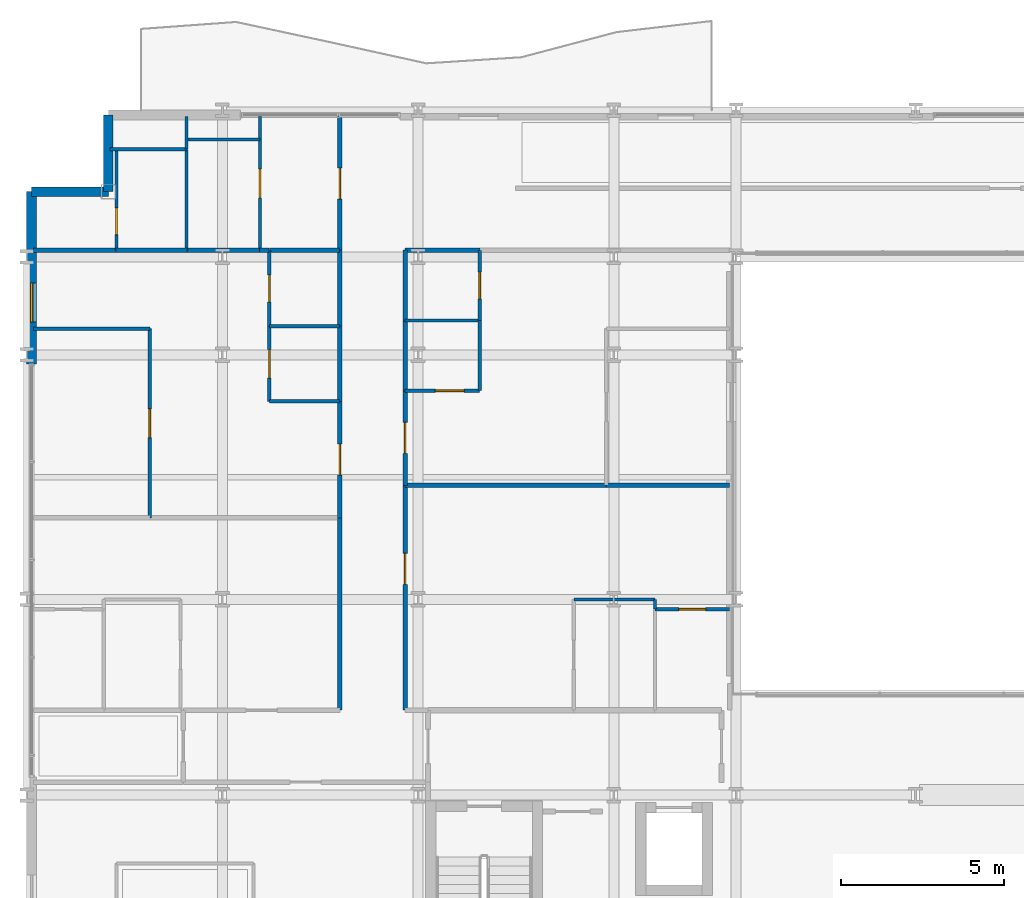
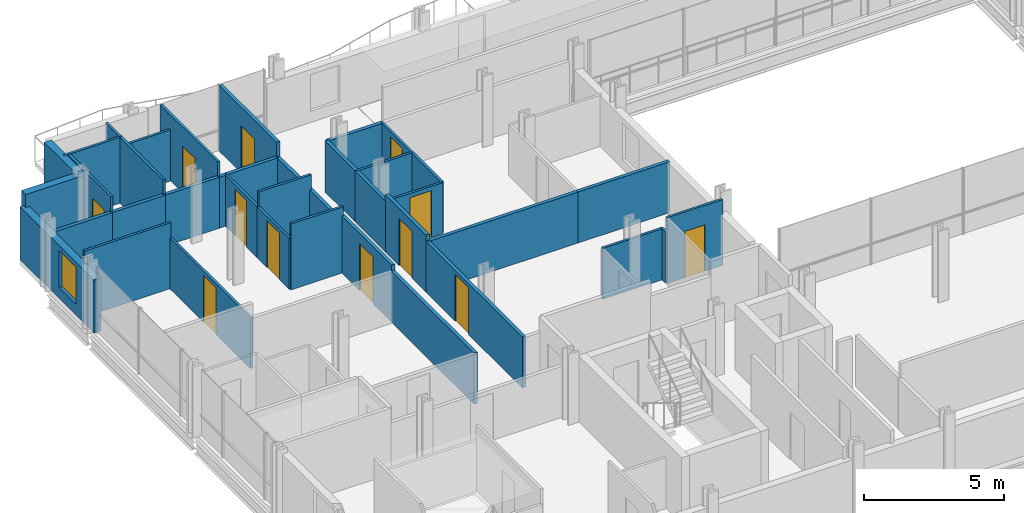
# One storey, part 33 of 41: 39 walls, 12 doors, 1 window, 13 openings.
"""IFC4 building model written with IfcOpenShell, lengths in metres."""

from ifc_helpers import new_model, si_unit, direction, frame, frame_2d, origin, place, context, subcontext, project, spatial, rectangle, extrude, material, layer, layer_set, type_object, element, fill, save


model = new_model("IFC4")

# Units and contexts
model_context = context("Model", 3, precision=1e-05, world=origin(), true_north=direction((0.0, 1.0)))
body_context = subcontext(model_context, "Body", "Model", "MODEL_VIEW")
ifc_project = project(units=[si_unit("LENGTHUNIT", "METRE"), si_unit("AREAUNIT", "SQUARE_METRE"), si_unit("VOLUMEUNIT", "CUBIC_METRE"), si_unit("PLANEANGLEUNIT", "RADIAN"), si_unit("MASSUNIT", "GRAM", prefix="KILO")], contexts=[model_context])

# Site, building, storey
site_placement = place(None, origin())
site = spatial("IfcSite", under=ifc_project, at=site_placement, CompositionType="ELEMENT")
building_placement = place(site_placement, origin())
building = spatial("IfcBuilding", under=site, at=building_placement, Name="Brevholm Reach", CompositionType="ELEMENT")
storey_placement = place(building_placement, frame((0.0, 0.0, 49.699951171875)))
storey = spatial("IfcBuildingStorey", under=building, at=storey_placement, Name="L13", CompositionType="ELEMENT", Elevation=49.699951171875)

# Walls
ifc_material_1 = material(Name="Concrete C40/50", Category="concrete")
ifc_layer_1 = layer(ifc_material_1, 0.300048828125)
ifc_layer_set_1 = layer_set([ifc_layer_1], Name="Concrete C40/50")
wall_type_1 = type_object("IfcWallType", Name="WAL-EXT-300", PredefinedType="STANDARD", material=ifc_layer_set_1)
for number, where, z_axis, x_axis, name in (
    (1, (2.5, 30.85009765625, 0.0), (0.0, 0.0, 1.0), (0.0, -1.0, 0.0), "L13 Facade Wall WAL-L13-CNW1"),
    (2, (2.5, 28.5, 0.0), (0.0, 0.0, 1.0), (-1.0, 0.0, 0.0), "L13 Facade Wall WAL-L13-CNW2"),
):
    element("IfcWall", number, at=place(storey_placement, frame(where, z_axis=z_axis, x_axis=x_axis)), inside=storey, type_object=wall_type_1, Name=name, PredefinedType="STANDARD", context=body_context, shape_type="SweptSolid", body=[
        extrude(rectangle(XDim=2.35009765625, YDim=0.300048828125, at=frame_2d((1.175048828125, 0.0))), origin(), (0.0, 0.0, 1.0), 2.8701171875),
    ])

# Wall, opening, window
wall_1_placement = place(storey_placement, frame((0.14990234375, 28.5, 0.0), z_axis=(0.0, 0.0, 1.0), x_axis=(0.0, -1.0, 0.0)))
wall_1 = element("IfcWall", 3, at=wall_1_placement, inside=storey, type_object=wall_type_1, Name="L13 Facade Wall WAL-L13-W-N", PredefinedType="STANDARD", context=body_context, shape_type="SweptSolid", body=[
    extrude(rectangle(XDim=5.280029296875, YDim=0.300048828125, at=frame_2d((2.64013671875, 0.0))), origin(), (0.0, 0.0, 1.0), 2.3056640625),
])
opening_1_placement = place(wall_1_placement, frame((2.800048828125, 0.0, 0.485107421875)))
opening_1 = element("IfcOpeningElement", 4, at=opening_1_placement, cuts=wall_1, Name="Opening WN-08", PredefinedType="OPENING", context=body_context, shape_type="SweptSolid", body=[
    extrude(rectangle(XDim=1.199951171875, YDim=1.60009765625, at=frame_2d((0.60009765625, 0.800048828125))), frame((0.0, 0.159912109375, 0.0), z_axis=(0.0, -1.0, 0.0), x_axis=(1.0, 0.0, 0.0)), (0.0, 0.0, 1.0), 0.320068359375),
])
ifc_material_2 = material(Name="Dark Anodised Aluminium and Solar-Control IGU Glass", Category="aluminium")
window_type = type_object("IfcWindowType", Name="WIN-RES-1200", PartitioningType="SINGLE_PANEL", PredefinedType="WINDOW", material=ifc_material_2)
window_placement = place(opening_1_placement, origin())
window = element("IfcWindow", 5, at=window_placement, inside=storey, type_object=window_type, Name="L13 Window WIN-L13-WN-1", OverallHeight=1.60009765625, OverallWidth=1.199951171875, PartitioningType="SINGLE_PANEL", PredefinedType="WINDOW", context=body_context, shape_type="SweptSolid", body=[
    extrude(rectangle(XDim=1.199951171875, YDim=1.60009765625, at=frame_2d((0.60009765625, 0.800048828125))), frame((0.0, 0.030029296875, 0.0), z_axis=(0.0, -1.0, 0.0), x_axis=(1.0, 0.0, 0.0)), (0.0, 0.0, 1.0), 0.06005859375),
])
fill(opening_1, window)

# Wall
ifc_material_3 = material(Name="Moisture-Resistant Acoustic Gypsum Stud Partition 100 mm", Category="gypsum")
ifc_layer_2 = layer(ifc_material_3, 0.10009765625)
ifc_layer_set_2 = layer_set([ifc_layer_2], Name="Moisture-Resistant Acoustic Gypsum Stud Partition 100 mm")
wall_type_2 = type_object("IfcWallType", Name="WAL-PRT-100", PredefinedType="PARTITIONING", material=ifc_layer_set_2)
wall_2_placement = place(storey_placement, frame((7.43798828125, 24.3720703125, 0.0), z_axis=(0.0, 0.0, 1.0), x_axis=(1.0, 0.0, 0.0)))
element("IfcWall", 6, at=wall_2_placement, inside=storey, type_object=wall_type_2, Name="L13 Internal Partition 082", PredefinedType="PARTITIONING", context=body_context, shape_type="SweptSolid", body=[
    extrude(rectangle(XDim=2.157958984375, YDim=0.10009765625, at=frame_2d((1.0791015625, 0.0))), origin(), (0.0, 0.0, 1.0), 2.8701171875),
])

# Wall, opening, door
wall_3_placement = place(storey_placement, frame((7.43798828125, 24.3720703125, 0.0), z_axis=(0.0, 0.0, 1.0), x_axis=(0.0, 1.0, 0.0)))
wall_3 = element("IfcWall", 7, at=wall_3_placement, inside=storey, type_object=wall_type_2, Name="L13 Internal Partition 083", PredefinedType="PARTITIONING", context=body_context, shape_type="SweptSolid", body=[
    extrude(rectangle(XDim=2.327880859375, YDim=0.10009765625, at=frame_2d((1.1640625, 0.0))), origin(), (0.0, 0.0, 1.0), 2.224853515625),
])
opening_2_placement = place(wall_3_placement, frame((0.75390625, 0.0, 0.0)))
opening_2 = element("IfcOpeningElement", 8, at=opening_2_placement, cuts=wall_3, Name="Opening ID-03", PredefinedType="OPENING", context=body_context, shape_type="SweptSolid", body=[
    extrude(rectangle(XDim=0.820068359375, YDim=2.02001953125, at=frame_2d((0.41015625, 1.010009765625))), frame((0.0, 0.06005859375, 0.0), z_axis=(0.0, -1.0, 0.0), x_axis=(1.0, 0.0, 0.0)), (0.0, 0.0, 1.0), 0.1201171875),
])
ifc_material_4 = material(Name="Moisture-Resistant Painted Timber Internal Bathroom Door", Category="wood")
door_type_1 = type_object("IfcDoorType", Name="DOR-BATH-820", OperationType="NOTDEFINED", PredefinedType="DOOR", material=ifc_material_4)
door_1_placement = place(opening_2_placement, origin())
door_1 = element("IfcDoor", 9, at=door_1_placement, inside=storey, type_object=door_type_1, Name="L13 Internal Door 032", OperationType="SINGLE_SWING_LEFT", OverallHeight=2.02001953125, OverallWidth=0.820068359375, PredefinedType="DOOR", context=body_context, shape_type="SweptSolid", body=[
    extrude(rectangle(XDim=0.820068359375, YDim=2.02001953125, at=frame_2d((0.41015625, 1.010009765625))), frame((0.0, 0.02490234375, 0.0), z_axis=(0.0, -1.0, 0.0), x_axis=(1.0, 0.0, 0.0)), (0.0, 0.0, 1.0), 0.050048828125),
])
fill(opening_2, door_1)

# Wall
wall_4_placement = place(storey_placement, frame((7.43798828125, 22.075927734375, 0.0), z_axis=(0.0, 0.0, 1.0), x_axis=(1.0, 0.0, 0.0)))
element("IfcWall", 10, at=wall_4_placement, inside=storey, type_object=wall_type_2, Name="L13 Internal Partition 085", PredefinedType="PARTITIONING", context=body_context, shape_type="SweptSolid", body=[
    extrude(rectangle(XDim=2.157958984375, YDim=0.10009765625, at=frame_2d((1.0791015625, 0.0))), origin(), (0.0, 0.0, 1.0), 2.8701171875),
])

# Wall, opening, door
wall_5_placement = place(storey_placement, frame((7.43798828125, 22.075927734375, 0.0), z_axis=(0.0, 0.0, 1.0), x_axis=(0.0, 1.0, 0.0)))
wall_5 = element("IfcWall", 11, at=wall_5_placement, inside=storey, type_object=wall_type_2, Name="L13 Internal Partition 086", PredefinedType="PARTITIONING", context=body_context, shape_type="SweptSolid", body=[
    extrude(rectangle(XDim=2.2919921875, YDim=0.10009765625, at=frame_2d((1.14599609375, 0.0))), origin(), (0.0, 0.0, 1.0), 2.224853515625),
])
opening_3_placement = place(wall_5_placement, frame((0.7060546875, 0.0, 0.0)))
opening_3 = element("IfcOpeningElement", 12, at=opening_3_placement, cuts=wall_5, Name="Opening ID-01", PredefinedType="OPENING", context=body_context, shape_type="SweptSolid", body=[
    extrude(rectangle(XDim=0.8798828125, YDim=2.0400390625, at=frame_2d((0.43994140625, 1.02001953125))), frame((0.0, 0.06005859375, 0.0), z_axis=(0.0, -1.0, 0.0), x_axis=(1.0, 0.0, 0.0)), (0.0, 0.0, 1.0), 0.1201171875),
])
ifc_material_5 = material(Name="Lacquered Ash Solid-Core Acoustic Internal Door", Category="timber")
door_type_2 = type_object("IfcDoorType", Name="DOR-INT-880", OperationType="NOTDEFINED", PredefinedType="DOOR", material=ifc_material_5)
door_2_placement = place(opening_3_placement, origin())
door_2 = element("IfcDoor", 13, at=door_2_placement, inside=storey, type_object=door_type_2, Name="L13 Internal Door 033", OperationType="SINGLE_SWING_RIGHT", OverallHeight=2.0400390625, OverallWidth=0.8798828125, PredefinedType="DOOR", context=body_context, shape_type="SweptSolid", body=[
    extrude(rectangle(XDim=0.8798828125, YDim=2.0400390625, at=frame_2d((0.43994140625, 1.02001953125))), frame((0.0, 0.02490234375, 0.0), z_axis=(0.0, -1.0, 0.0), x_axis=(1.0, 0.0, 0.0)), (0.0, 0.0, 1.0), 0.050048828125),
])
fill(opening_3, door_2)

wall_6_placement = place(storey_placement, frame((3.77197265625, 18.50390625, 0.0), z_axis=(0.0, 0.0, 1.0), x_axis=(0.0, 1.0, 0.0)))
wall_6 = element("IfcWall", 14, at=wall_6_placement, inside=storey, type_object=wall_type_2, Name="L13 Internal Partition 087", PredefinedType="PARTITIONING", context=body_context, shape_type="SweptSolid", body=[
    extrude(rectangle(XDim=5.796142578125, YDim=0.10009765625, at=frame_2d((2.89794921875, 0.0))), origin(), (0.0, 0.0, 1.0), 2.224853515625),
])
opening_4_placement = place(wall_6_placement, frame((2.4580078125, 0.0, 0.0)))
opening_4 = element("IfcOpeningElement", 15, at=opening_4_placement, cuts=wall_6, Name="Opening ID-01", PredefinedType="OPENING", context=body_context, shape_type="SweptSolid", body=[
    extrude(rectangle(XDim=0.8798828125, YDim=2.0400390625, at=frame_2d((0.43994140625, 1.02001953125))), frame((0.0, 0.06005859375, 0.0), z_axis=(0.0, -1.0, 0.0), x_axis=(1.0, 0.0, 0.0)), (0.0, 0.0, 1.0), 0.1201171875),
])
door_3_placement = place(opening_4_placement, origin())
door_3 = element("IfcDoor", 16, at=door_3_placement, inside=storey, type_object=door_type_2, Name="L13 Internal Door 034", OperationType="SINGLE_SWING_LEFT", OverallHeight=2.0400390625, OverallWidth=0.8798828125, PredefinedType="DOOR", context=body_context, shape_type="SweptSolid", body=[
    extrude(rectangle(XDim=0.8798828125, YDim=2.0400390625, at=frame_2d((0.43994140625, 1.02001953125))), frame((0.0, 0.02490234375, 0.0), z_axis=(0.0, -1.0, 0.0), x_axis=(1.0, 0.0, 0.0)), (0.0, 0.0, 1.0), 0.050048828125),
])
fill(opening_4, door_3)

# Wall
wall_7_placement = place(storey_placement, frame((0.199951171875, 24.300048828125, 0.0), z_axis=(0.0, 0.0, 1.0), x_axis=(1.0, 0.0, 0.0)))
element("IfcWall", 17, at=wall_7_placement, inside=storey, type_object=wall_type_2, Name="L13 Internal Partition 088", PredefinedType="PARTITIONING", context=body_context, shape_type="SweptSolid", body=[
    extrude(rectangle(XDim=3.572021484375, YDim=0.10009765625, at=frame_2d((1.7861328125, 0.0))), origin(), (0.0, 0.0, 1.0), 2.8701171875),
])

# Wall, opening, door
wall_8_placement = place(storey_placement, frame((19.260986328125, 15.699951171875, 0.0), z_axis=(0.0, 0.0, 1.0), x_axis=(1.0, 0.0, 0.0)))
wall_8 = element("IfcWall", 18, at=wall_8_placement, inside=storey, type_object=wall_type_2, Name="L13 Internal Partition 094", PredefinedType="PARTITIONING", context=body_context, shape_type="SweptSolid", body=[
    extrude(rectangle(XDim=2.2890625, YDim=0.10009765625, at=frame_2d((1.14453125, 0.0))), origin(), (0.0, 0.0, 1.0), 2.8701171875),
])
opening_5_placement = place(wall_8_placement, frame((0.734619140625, 0.0, 0.0)))
opening_5 = element("IfcOpeningElement", 19, at=opening_5_placement, cuts=wall_8, Name="Opening ID-03", PredefinedType="OPENING", context=body_context, shape_type="SweptSolid", body=[
    extrude(rectangle(XDim=0.820068359375, YDim=2.02001953125, at=frame_2d((0.41015625, 1.010009765625))), frame((0.0, 0.06005859375, 0.0), z_axis=(0.0, -1.0, 0.0), x_axis=(1.0, 0.0, 0.0)), (0.0, 0.0, 1.0), 0.1201171875),
])
door_4_placement = place(opening_5_placement, origin())
door_4 = element("IfcDoor", 20, at=door_4_placement, inside=storey, type_object=door_type_1, Name="L13 Internal Door 035", OperationType="SINGLE_SWING_RIGHT", OverallHeight=2.02001953125, OverallWidth=0.820068359375, PredefinedType="DOOR", context=body_context, shape_type="SweptSolid", body=[
    extrude(rectangle(XDim=0.820068359375, YDim=2.02001953125, at=frame_2d((0.41015625, 1.010009765625))), frame((0.0, 0.02490234375, 0.0), z_axis=(0.0, -1.0, 0.0), x_axis=(1.0, 0.0, 0.0)), (0.0, 0.0, 1.0), 0.050048828125),
])
fill(opening_5, door_4)

# Walls
wall_9_placement = place(storey_placement, frame((19.260986328125, 15.7041015625, 0.0), z_axis=(0.0, 0.0, 1.0), x_axis=(0.0, 1.0, 0.0)))
element("IfcWall", 21, at=wall_9_placement, inside=storey, type_object=wall_type_2, Name="L13 Internal Partition 095", PredefinedType="PARTITIONING", context=body_context, shape_type="SweptSolid", body=[
    extrude(rectangle(XDim=0.2958984375, YDim=0.10009765625, at=frame_2d((0.14794921875, 0.0))), origin(), (0.0, 0.0, 1.0), 2.224853515625),
])
wall_10_placement = place(storey_placement, frame((16.77294921875, 16.0, 0.0), z_axis=(0.0, 0.0, 1.0), x_axis=(1.0, 0.0, 0.0)))
element("IfcWall", 22, at=wall_10_placement, inside=storey, type_object=wall_type_2, Name="L13 Internal Partition 096", PredefinedType="PARTITIONING", context=body_context, shape_type="SweptSolid", body=[
    extrude(rectangle(XDim=2.488037109375, YDim=0.10009765625, at=frame_2d((1.244140625, 0.0))), origin(), (0.0, 0.0, 1.0), 2.224853515625),
])
wall_11_placement = place(storey_placement, frame((11.60400390625, 24.550048828125, 0.0), z_axis=(0.0, 0.0, 1.0), x_axis=(1.0, 0.0, 0.0)))
element("IfcWall", 23, at=wall_11_placement, inside=storey, type_object=wall_type_2, Name="L13 Internal Partition 100", PredefinedType="PARTITIONING", context=body_context, shape_type="SweptSolid", body=[
    extrude(rectangle(XDim=2.284912109375, YDim=0.10009765625, at=frame_2d((1.142578125, 0.0))), origin(), (0.0, 0.0, 1.0), 2.224853515625),
])

# Wall, opening, door
wall_12_placement = place(storey_placement, frame((13.888916015625, 24.550048828125, 0.0), z_axis=(0.0, 0.0, 1.0), x_axis=(0.0, 1.0, 0.0)))
wall_12 = element("IfcWall", 24, at=wall_12_placement, inside=storey, type_object=wall_type_2, Name="L13 Internal Partition 101", PredefinedType="PARTITIONING", context=body_context, shape_type="SweptSolid", body=[
    extrude(rectangle(XDim=2.14599609375, YDim=0.10009765625, at=frame_2d((1.072998046875, 0.0))), origin(), (0.0, 0.0, 1.0), 2.224853515625),
])
opening_6_placement = place(wall_12_placement, frame((0.6630859375, 0.0, 0.0)))
opening_6 = element("IfcOpeningElement", 25, at=opening_6_placement, cuts=wall_12, Name="Opening ID-03", PredefinedType="OPENING", context=body_context, shape_type="SweptSolid", body=[
    extrude(rectangle(XDim=0.820068359375, YDim=2.02001953125, at=frame_2d((0.41015625, 1.010009765625))), frame((0.0, 0.06005859375, 0.0), z_axis=(0.0, -1.0, 0.0), x_axis=(1.0, 0.0, 0.0)), (0.0, 0.0, 1.0), 0.1201171875),
])
door_5_placement = place(opening_6_placement, origin())
door_5 = element("IfcDoor", 26, at=door_5_placement, inside=storey, type_object=door_type_1, Name="L13 Internal Door 037", OperationType="SINGLE_SWING_RIGHT", OverallHeight=2.02001953125, OverallWidth=0.820068359375, PredefinedType="DOOR", context=body_context, shape_type="SweptSolid", body=[
    extrude(rectangle(XDim=0.820068359375, YDim=2.02001953125, at=frame_2d((0.41015625, 1.010009765625))), frame((0.0, 0.02490234375, 0.0), z_axis=(0.0, -1.0, 0.0), x_axis=(1.0, 0.0, 0.0)), (0.0, 0.0, 1.0), 0.050048828125),
])
fill(opening_6, door_5)

wall_13_placement = place(storey_placement, frame((11.60400390625, 22.39990234375, 0.0), z_axis=(0.0, 0.0, 1.0), x_axis=(1.0, 0.0, 0.0)))
wall_13 = element("IfcWall", 27, at=wall_13_placement, inside=storey, type_object=wall_type_2, Name="L13 Internal Partition 102", PredefinedType="PARTITIONING", context=body_context, shape_type="SweptSolid", body=[
    extrude(rectangle(XDim=2.284912109375, YDim=0.10009765625, at=frame_2d((1.142578125, 0.0))), origin(), (0.0, 0.0, 1.0), 2.224853515625),
])
opening_7_placement = place(wall_13_placement, frame((0.922607421875, 0.0, 0.0)))
opening_7 = element("IfcOpeningElement", 28, at=opening_7_placement, cuts=wall_13, Name="Opening ID-01", PredefinedType="OPENING", context=body_context, shape_type="SweptSolid", body=[
    extrude(rectangle(XDim=0.8798828125, YDim=2.0400390625, at=frame_2d((0.43994140625, 1.02001953125))), frame((0.0, 0.06005859375, 0.0), z_axis=(0.0, -1.0, 0.0), x_axis=(1.0, 0.0, 0.0)), (0.0, 0.0, 1.0), 0.1201171875),
])
door_6_placement = place(opening_7_placement, origin())
door_6 = element("IfcDoor", 29, at=door_6_placement, inside=storey, type_object=door_type_2, Name="L13 Internal Door 038", OperationType="SINGLE_SWING_LEFT", OverallHeight=2.0400390625, OverallWidth=0.8798828125, PredefinedType="DOOR", context=body_context, shape_type="SweptSolid", body=[
    extrude(rectangle(XDim=0.8798828125, YDim=2.0400390625, at=frame_2d((0.43994140625, 1.02001953125))), frame((0.0, 0.02490234375, 0.0), z_axis=(0.0, -1.0, 0.0), x_axis=(1.0, 0.0, 0.0)), (0.0, 0.0, 1.0), 0.050048828125),
])
fill(opening_7, door_6)

# Walls
wall_14_placement = place(storey_placement, frame((13.888916015625, 22.39990234375, 0.0), z_axis=(0.0, 0.0, 1.0), x_axis=(0.0, 1.0, 0.0)))
element("IfcWall", 30, at=wall_14_placement, inside=storey, type_object=wall_type_2, Name="L13 Internal Partition 103", PredefinedType="PARTITIONING", context=body_context, shape_type="SweptSolid", body=[
    extrude(rectangle(XDim=2.14599609375, YDim=0.10009765625, at=frame_2d((1.072998046875, 0.0))), origin(), (0.0, 0.0, 1.0), 2.224853515625),
])
wall_15_placement = place(storey_placement, frame((4.89990234375, 26.7041015625, 0.0), z_axis=(0.0, 0.0, 1.0), x_axis=(0.0, 1.0, 0.0)))
element("IfcWall", 31, at=wall_15_placement, inside=storey, type_object=wall_type_2, Name="L13 Internal Partition 138", PredefinedType="PARTITIONING", context=body_context, shape_type="SweptSolid", body=[
    extrude(rectangle(XDim=3.095947265625, YDim=0.10009765625, at=frame_2d((1.5478515625, 0.0))), origin(), (0.0, 0.0, 1.0), 2.8701171875),
])
wall_16_placement = place(storey_placement, frame((2.550048828125, 29.800048828125, 0.0), z_axis=(0.0, 0.0, 1.0), x_axis=(1.0, 0.0, 0.0)))
element("IfcWall", 32, at=wall_16_placement, inside=storey, type_object=wall_type_2, Name="L13 Internal Partition 139", PredefinedType="PARTITIONING", context=body_context, shape_type="SweptSolid", body=[
    extrude(rectangle(XDim=2.349853515625, YDim=0.10009765625, at=frame_2d((1.1748046875, 0.0))), origin(), (0.0, 0.0, 1.0), 2.8701171875),
])

# Wall, opening, door
wall_17_placement = place(storey_placement, frame((2.75, 26.7041015625, 0.0), z_axis=(0.0, 0.0, 1.0), x_axis=(0.0, 1.0, 0.0)))
wall_17 = element("IfcWall", 33, at=wall_17_placement, inside=storey, type_object=wall_type_2, Name="L13 Internal Partition 140", PredefinedType="PARTITIONING", context=body_context, shape_type="SweptSolid", body=[
    extrude(rectangle(XDim=3.095947265625, YDim=0.10009765625, at=frame_2d((1.5478515625, 0.0))), origin(), (0.0, 0.0, 1.0), 2.8701171875),
])
opening_8_placement = place(wall_17_placement, frame((0.47802734375, 0.0, 0.0)))
opening_8 = element("IfcOpeningElement", 34, at=opening_8_placement, cuts=wall_17, Name="Opening ID-03", PredefinedType="OPENING", context=body_context, shape_type="SweptSolid", body=[
    extrude(rectangle(XDim=0.820068359375, YDim=2.02001953125, at=frame_2d((0.41015625, 1.010009765625))), frame((0.0, 0.06005859375, 0.0), z_axis=(0.0, -1.0, 0.0), x_axis=(1.0, 0.0, 0.0)), (0.0, 0.0, 1.0), 0.1201171875),
])
door_7_placement = place(opening_8_placement, origin())
door_7 = element("IfcDoor", 35, at=door_7_placement, inside=storey, type_object=door_type_1, Name="L13 Internal Door 050", OperationType="SINGLE_SWING_LEFT", OverallHeight=2.02001953125, OverallWidth=0.820068359375, PredefinedType="DOOR", context=body_context, shape_type="SweptSolid", body=[
    extrude(rectangle(XDim=0.820068359375, YDim=2.02001953125, at=frame_2d((0.41015625, 1.010009765625))), frame((0.0, 0.02490234375, 0.0), z_axis=(0.0, -1.0, 0.0), x_axis=(1.0, 0.0, 0.0)), (0.0, 0.0, 1.0), 0.050048828125),
])
fill(opening_8, door_7)

wall_18_placement = place(storey_placement, frame((7.14990234375, 26.7041015625, 0.0), z_axis=(0.0, 0.0, 1.0), x_axis=(0.0, 1.0, 0.0)))
wall_18 = element("IfcWall", 36, at=wall_18_placement, inside=storey, type_object=wall_type_2, Name="L13 Internal Partition 141", PredefinedType="PARTITIONING", context=body_context, shape_type="SweptSolid", body=[
    extrude(rectangle(XDim=4.095947265625, YDim=0.10009765625, at=frame_2d((2.0478515625, 0.0))), origin(), (0.0, 0.0, 1.0), 2.8701171875),
])
opening_9_placement = place(wall_18_placement, frame((1.60791015625, 0.0, 0.0)))
opening_9 = element("IfcOpeningElement", 37, at=opening_9_placement, cuts=wall_18, Name="Opening ID-01", PredefinedType="OPENING", context=body_context, shape_type="SweptSolid", body=[
    extrude(rectangle(XDim=0.8798828125, YDim=2.0400390625, at=frame_2d((0.43994140625, 1.02001953125))), frame((0.0, 0.06005859375, 0.0), z_axis=(0.0, -1.0, 0.0), x_axis=(1.0, 0.0, 0.0)), (0.0, 0.0, 1.0), 0.1201171875),
])
door_8_placement = place(opening_9_placement, origin())
door_8 = element("IfcDoor", 38, at=door_8_placement, inside=storey, type_object=door_type_2, Name="L13 Internal Door 051", OperationType="SINGLE_SWING_RIGHT", OverallHeight=2.0400390625, OverallWidth=0.8798828125, PredefinedType="DOOR", context=body_context, shape_type="SweptSolid", body=[
    extrude(rectangle(XDim=0.8798828125, YDim=2.0400390625, at=frame_2d((0.43994140625, 1.02001953125))), frame((0.0, 0.02490234375, 0.0), z_axis=(0.0, -1.0, 0.0), x_axis=(1.0, 0.0, 0.0)), (0.0, 0.0, 1.0), 0.050048828125),
])
fill(opening_9, door_8)

# Walls
wall_19_placement = place(storey_placement, frame((4.89990234375, 30.10009765625, 0.0), z_axis=(0.0, 0.0, 1.0), x_axis=(1.0, 0.0, 0.0)))
element("IfcWall", 39, at=wall_19_placement, inside=storey, type_object=wall_type_2, Name="L13 Internal Partition 142", PredefinedType="PARTITIONING", context=body_context, shape_type="SweptSolid", body=[
    extrude(rectangle(XDim=2.25, YDim=0.10009765625, at=frame_2d((1.125, 0.0))), origin(), (0.0, 0.0, 1.0), 2.224853515625),
])
wall_20_placement = place(storey_placement, frame((4.89990234375, 29.803955078125, 0.0), z_axis=(0.0, 0.0, 1.0), x_axis=(0.0, 1.0, 0.0)))
element("IfcWall", 40, at=wall_20_placement, inside=storey, type_object=wall_type_2, Name="L13 Internal Partition 143", PredefinedType="PARTITIONING", context=body_context, shape_type="SweptSolid", body=[
    extrude(rectangle(XDim=0.99609375, YDim=0.10009765625, at=frame_2d((0.498046875, 0.0))), origin(), (0.0, 0.0, 1.0), 2.8701171875),
])
ifc_material_6 = material(Name="Twin-Stud Acoustic Fire-Rated Gypsum Partition 140 mm", Category="gypsum")
ifc_layer_3 = layer(ifc_material_6, 0.139892578125)
ifc_layer_set_3 = layer_set([ifc_layer_3], Name="Twin-Stud Acoustic Fire-Rated Gypsum Partition 140 mm")
wall_type_3 = type_object("IfcWallType", Name="WAL-PRT-140", PredefinedType="PARTITIONING", material=ifc_layer_set_3)
wall_21_placement = place(storey_placement, frame((9.60009765625, 12.60400390625, 0.0), z_axis=(0.0, 0.0, 1.0), x_axis=(0.0, 1.0, 0.0)))
element("IfcWall", 41, at=wall_21_placement, inside=storey, type_object=wall_type_3, Name="L13 Internal Partition 030", PredefinedType="PARTITIONING", context=body_context, shape_type="SweptSolid", body=[
    extrude(rectangle(XDim=5.9072265625, YDim=0.139892578125, at=frame_2d((2.95361328125, 0.0))), origin(), (0.0, 0.0, 1.0), 2.224853515625),
])
wall_22_placement = place(storey_placement, frame((9.60009765625, 24.360595703125, 0.0), z_axis=(0.0, 0.0, 1.0), x_axis=(0.0, 1.0, 0.0)))
element("IfcWall", 42, at=wall_22_placement, inside=storey, type_object=wall_type_3, Name="L13 Internal Partition 031", PredefinedType="PARTITIONING", context=body_context, shape_type="SweptSolid", body=[
    extrude(rectangle(XDim=2.3505859375, YDim=0.139892578125, at=frame_2d((1.17529296875, 0.0))), origin(), (0.0, 0.0, 1.0), 2.224853515625),
])
wall_23_placement = place(storey_placement, frame((9.60009765625, 22.064697265625, 0.0), z_axis=(0.0, 0.0, 1.0), x_axis=(0.0, 1.0, 0.0)))
element("IfcWall", 43, at=wall_23_placement, inside=storey, type_object=wall_type_3, Name="L13 Internal Partition 032", PredefinedType="PARTITIONING", context=body_context, shape_type="SweptSolid", body=[
    extrude(rectangle(XDim=2.314697265625, YDim=0.139892578125, at=frame_2d((1.1572265625, 0.0))), origin(), (0.0, 0.0, 1.0), 2.224853515625),
])

# Wall, opening, door
wall_24_placement = place(storey_placement, frame((9.60009765625, 18.49267578125, 0.0), z_axis=(0.0, 0.0, 1.0), x_axis=(0.0, 1.0, 0.0)))
wall_24 = element("IfcWall", 44, at=wall_24_placement, inside=storey, type_object=wall_type_3, Name="L13 Internal Partition 033", PredefinedType="PARTITIONING", context=body_context, shape_type="SweptSolid", body=[
    extrude(rectangle(XDim=3.590576171875, YDim=0.139892578125, at=frame_2d((1.79541015625, 0.0))), origin(), (0.0, 0.0, 1.0), 2.489990234375),
])
opening_10_placement = place(wall_24_placement, frame((1.3203125, 0.0, 0.0)))
opening_10 = element("IfcOpeningElement", 45, at=opening_10_placement, cuts=wall_24, Name="Opening ID-30", PredefinedType="OPENING", context=body_context, shape_type="SweptSolid", body=[
    extrude(rectangle(XDim=0.949951171875, YDim=2.050048828125, at=frame_2d((0.47509765625, 1.02490234375))), frame((0.0, 0.079833984375, 0.0), z_axis=(0.0, -1.0, 0.0), x_axis=(1.0, 0.0, 0.0)), (0.0, 0.0, 1.0), 0.159912109375),
])
ifc_material_7 = material(Name="European Oak Veneered Solid-Core Fire Entrance Door", Category="timber")
door_type_3 = type_object("IfcDoorType", Name="DOR-FLT-FD30S", OperationType="NOTDEFINED", PredefinedType="DOOR", material=ifc_material_7)
door_9_placement = place(opening_10_placement, origin())
door_9 = element("IfcDoor", 46, at=door_9_placement, inside=storey, type_object=door_type_3, Name="L13 Internal Door 015", OperationType="SINGLE_SWING_RIGHT", OverallHeight=2.050048828125, OverallWidth=0.949951171875, PredefinedType="DOOR", context=body_context, shape_type="SweptSolid", body=[
    extrude(rectangle(XDim=0.949951171875, YDim=2.050048828125, at=frame_2d((0.47509765625, 1.02490234375))), frame((0.0, 0.02490234375, 0.0), z_axis=(0.0, -1.0, 0.0), x_axis=(1.0, 0.0, 0.0)), (0.0, 0.0, 1.0), 0.050048828125),
])
fill(opening_10, door_9)

wall_25_placement = place(storey_placement, frame((11.60009765625, 12.60400390625, 0.0), z_axis=(0.0, 0.0, 1.0), x_axis=(0.0, 1.0, 0.0)))
wall_25 = element("IfcWall", 47, at=wall_25_placement, inside=storey, type_object=wall_type_3, Name="L13 Internal Partition 034", PredefinedType="PARTITIONING", context=body_context, shape_type="SweptSolid", body=[
    extrude(rectangle(XDim=6.9072265625, YDim=0.139892578125, at=frame_2d((3.45361328125, 0.0))), origin(), (0.0, 0.0, 1.0), 2.224853515625),
])
opening_11_placement = place(wall_25_placement, frame((3.858642578125, 0.0, 0.0)))
opening_11 = element("IfcOpeningElement", 48, at=opening_11_placement, cuts=wall_25, Name="Opening ID-30", PredefinedType="OPENING", context=body_context, shape_type="SweptSolid", body=[
    extrude(rectangle(XDim=0.949951171875, YDim=2.050048828125, at=frame_2d((0.47509765625, 1.02490234375))), frame((0.0, 0.079833984375, 0.0), z_axis=(0.0, -1.0, 0.0), x_axis=(1.0, 0.0, 0.0)), (0.0, 0.0, 1.0), 0.159912109375),
])
door_10_placement = place(opening_11_placement, origin())
door_10 = element("IfcDoor", 49, at=door_10_placement, inside=storey, type_object=door_type_3, Name="L13 Internal Door 016", OperationType="SINGLE_SWING_LEFT", OverallHeight=2.050048828125, OverallWidth=0.949951171875, PredefinedType="DOOR", context=body_context, shape_type="SweptSolid", body=[
    extrude(rectangle(XDim=0.949951171875, YDim=2.050048828125, at=frame_2d((0.47509765625, 1.02490234375))), frame((0.0, 0.02490234375, 0.0), z_axis=(0.0, -1.0, 0.0), x_axis=(1.0, 0.0, 0.0)), (0.0, 0.0, 1.0), 0.050048828125),
])
fill(opening_11, door_10)

# Walls
wall_26_placement = place(storey_placement, frame((11.60009765625, 24.538818359375, 0.0), z_axis=(0.0, 0.0, 1.0), x_axis=(0.0, 1.0, 0.0)))
element("IfcWall", 50, at=wall_26_placement, inside=storey, type_object=wall_type_3, Name="L13 Internal Partition 035", PredefinedType="PARTITIONING", context=body_context, shape_type="SweptSolid", body=[
    extrude(rectangle(XDim=2.16845703125, YDim=0.139892578125, at=frame_2d((1.084228515625, 0.0))), origin(), (0.0, 0.0, 1.0), 2.224853515625),
])
wall_27_placement = place(storey_placement, frame((11.60009765625, 22.388671875, 0.0), z_axis=(0.0, 0.0, 1.0), x_axis=(0.0, 1.0, 0.0)))
element("IfcWall", 51, at=wall_27_placement, inside=storey, type_object=wall_type_3, Name="L13 Internal Partition 036", PredefinedType="PARTITIONING", context=body_context, shape_type="SweptSolid", body=[
    extrude(rectangle(XDim=2.168701171875, YDim=0.139892578125, at=frame_2d((1.08447265625, 0.0))), origin(), (0.0, 0.0, 1.0), 2.224853515625),
])

# Wall, opening, door
wall_28_placement = place(storey_placement, frame((11.60009765625, 19.49267578125, 0.0), z_axis=(0.0, 0.0, 1.0), x_axis=(0.0, 1.0, 0.0)))
wall_28 = element("IfcWall", 52, at=wall_28_placement, inside=storey, type_object=wall_type_3, Name="L13 Internal Partition 037", PredefinedType="PARTITIONING", context=body_context, shape_type="SweptSolid", body=[
    extrude(rectangle(XDim=2.91455078125, YDim=0.139892578125, at=frame_2d((1.457275390625, 0.0))), origin(), (0.0, 0.0, 1.0), 2.489990234375),
])
opening_12_placement = place(wall_28_placement, frame((0.982421875, 0.0, 0.0)))
opening_12 = element("IfcOpeningElement", 53, at=opening_12_placement, cuts=wall_28, Name="Opening ID-30", PredefinedType="OPENING", context=body_context, shape_type="SweptSolid", body=[
    extrude(rectangle(XDim=0.949951171875, YDim=2.050048828125, at=frame_2d((0.47509765625, 1.02490234375))), frame((0.0, 0.079833984375, 0.0), z_axis=(0.0, -1.0, 0.0), x_axis=(1.0, 0.0, 0.0)), (0.0, 0.0, 1.0), 0.159912109375),
])
door_11_placement = place(opening_12_placement, origin())
door_11 = element("IfcDoor", 54, at=door_11_placement, inside=storey, type_object=door_type_3, Name="L13 Internal Door 017", OperationType="SINGLE_SWING_RIGHT", OverallHeight=2.050048828125, OverallWidth=0.949951171875, PredefinedType="DOOR", context=body_context, shape_type="SweptSolid", body=[
    extrude(rectangle(XDim=0.949951171875, YDim=2.050048828125, at=frame_2d((0.47509765625, 1.02490234375))), frame((0.0, 0.02490234375, 0.0), z_axis=(0.0, -1.0, 0.0), x_axis=(1.0, 0.0, 0.0)), (0.0, 0.0, 1.0), 0.050048828125),
])
fill(opening_12, door_11)

wall_29_placement = place(storey_placement, frame((9.60009765625, 26.692626953125, 0.0), z_axis=(0.0, 0.0, 1.0), x_axis=(0.0, 1.0, 0.0)))
wall_29 = element("IfcWall", 55, at=wall_29_placement, inside=storey, type_object=wall_type_3, Name="L13 Internal Partition 038", PredefinedType="PARTITIONING", context=body_context, shape_type="SweptSolid", body=[
    extrude(rectangle(XDim=4.107421875, YDim=0.139892578125, at=frame_2d((2.0537109375, 0.0))), origin(), (0.0, 0.0, 1.0), 2.8701171875),
])
opening_13_placement = place(wall_29_placement, frame((1.57861328125, 0.0, 0.0)))
opening_13 = element("IfcOpeningElement", 56, at=opening_13_placement, cuts=wall_29, Name="Opening ID-30", PredefinedType="OPENING", context=body_context, shape_type="SweptSolid", body=[
    extrude(rectangle(XDim=0.949951171875, YDim=2.050048828125, at=frame_2d((0.47509765625, 1.02490234375))), frame((0.0, 0.079833984375, 0.0), z_axis=(0.0, -1.0, 0.0), x_axis=(1.0, 0.0, 0.0)), (0.0, 0.0, 1.0), 0.159912109375),
])
door_12_placement = place(opening_13_placement, origin())
door_12 = element("IfcDoor", 57, at=door_12_placement, inside=storey, type_object=door_type_3, Name="L13 Internal Door 018", OperationType="SINGLE_SWING_LEFT", OverallHeight=2.050048828125, OverallWidth=0.949951171875, PredefinedType="DOOR", context=body_context, shape_type="SweptSolid", body=[
    extrude(rectangle(XDim=0.949951171875, YDim=2.050048828125, at=frame_2d((0.47509765625, 1.02490234375))), frame((0.0, 0.02490234375, 0.0), z_axis=(0.0, -1.0, 0.0), x_axis=(1.0, 0.0, 0.0)), (0.0, 0.0, 1.0), 0.050048828125),
])
fill(opening_13, door_12)

# Walls
wall_30_placement = place(storey_placement, frame((11.60400390625, 26.699951171875, 0.0), z_axis=(0.0, 0.0, 1.0), x_axis=(1.0, 0.0, 0.0)))
element("IfcWall", 58, at=wall_30_placement, inside=storey, type_object=wall_type_3, Name="L13 Internal Partition 048", PredefinedType="PARTITIONING", context=body_context, shape_type="SweptSolid", body=[
    extrude(rectangle(XDim=2.29638671875, YDim=0.139892578125, at=frame_2d((1.148193359375, 0.0))), origin(), (0.0, 0.0, 1.0), 2.224853515625),
])
wall_31_placement = place(storey_placement, frame((7.43798828125, 26.699951171875, 0.0), z_axis=(0.0, 0.0, 1.0), x_axis=(1.0, 0.0, 0.0)))
element("IfcWall", 59, at=wall_31_placement, inside=storey, type_object=wall_type_3, Name="L13 Internal Partition 084", PredefinedType="PARTITIONING", context=body_context, shape_type="SweptSolid", body=[
    extrude(rectangle(XDim=2.157958984375, YDim=0.139892578125, at=frame_2d((1.0791015625, 0.0))), origin(), (0.0, 0.0, 1.0), 2.224853515625),
])
wall_32_placement = place(storey_placement, frame((2.73876953125, 26.699951171875, 0.0), z_axis=(0.0, 0.0, 1.0), x_axis=(1.0, 0.0, 0.0)))
element("IfcWall", 60, at=wall_32_placement, inside=storey, type_object=wall_type_3, Name="L13 Internal Partition 089", PredefinedType="PARTITIONING", context=body_context, shape_type="SweptSolid", body=[
    extrude(rectangle(XDim=2.172607421875, YDim=0.139892578125, at=frame_2d((1.08642578125, 0.0))), origin(), (0.0, 0.0, 1.0), 2.224853515625),
])
wall_33_placement = place(storey_placement, frame((4.892578125, 26.699951171875, 0.0), z_axis=(0.0, 0.0, 1.0), x_axis=(1.0, 0.0, 0.0)))
element("IfcWall", 61, at=wall_33_placement, inside=storey, type_object=wall_type_3, Name="L13 Internal Partition 090", PredefinedType="PARTITIONING", context=body_context, shape_type="SweptSolid", body=[
    extrude(rectangle(XDim=2.268798828125, YDim=0.139892578125, at=frame_2d((1.13427734375, 0.0))), origin(), (0.0, 0.0, 1.0), 2.224853515625),
])
wall_34_placement = place(storey_placement, frame((7.142578125, 26.699951171875, 0.0), z_axis=(0.0, 0.0, 1.0), x_axis=(1.0, 0.0, 0.0)))
element("IfcWall", 62, at=wall_34_placement, inside=storey, type_object=wall_type_3, Name="L13 Internal Partition 091", PredefinedType="PARTITIONING", context=body_context, shape_type="SweptSolid", body=[
    extrude(rectangle(XDim=0.29150390625, YDim=0.139892578125, at=frame_2d((0.145751953125, 0.0))), origin(), (0.0, 0.0, 1.0), 2.224853515625),
])
wall_35_placement = place(storey_placement, frame((0.199951171875, 26.699951171875, 0.0), z_axis=(0.0, 0.0, 1.0), x_axis=(1.0, 0.0, 0.0)))
element("IfcWall", 63, at=wall_35_placement, inside=storey, type_object=wall_type_3, Name="L13 Internal Partition 092", PredefinedType="PARTITIONING", context=body_context, shape_type="SweptSolid", body=[
    extrude(rectangle(XDim=2.557373046875, YDim=0.139892578125, at=frame_2d((1.27880859375, 0.0))), origin(), (0.0, 0.0, 1.0), 2.224853515625),
])
wall_36_placement = place(storey_placement, frame((17.7578125, 19.5, 0.0), z_axis=(0.0, 0.0, 1.0), x_axis=(1.0, 0.0, 0.0)))
element("IfcWall", 64, at=wall_36_placement, inside=storey, type_object=wall_type_3, Name="L13 Internal Partition 098", PredefinedType="PARTITIONING", context=body_context, shape_type="SweptSolid", body=[
    extrude(rectangle(XDim=3.792236328125, YDim=0.139892578125, at=frame_2d((1.89599609375, 0.0))), origin(), (0.0, 0.0, 1.0), 2.224853515625),
])
wall_37_placement = place(storey_placement, frame((11.60400390625, 19.5, 0.0), z_axis=(0.0, 0.0, 1.0), x_axis=(1.0, 0.0, 0.0)))
element("IfcWall", 65, at=wall_37_placement, inside=storey, type_object=wall_type_3, Name="L13 Internal Partition 099", PredefinedType="PARTITIONING", context=body_context, shape_type="SweptSolid", body=[
    extrude(rectangle(XDim=6.17236328125, YDim=0.139892578125, at=frame_2d((3.086181640625, 0.0))), origin(), (0.0, 0.0, 1.0), 2.224853515625),
])

save(model, "model.ifc")
